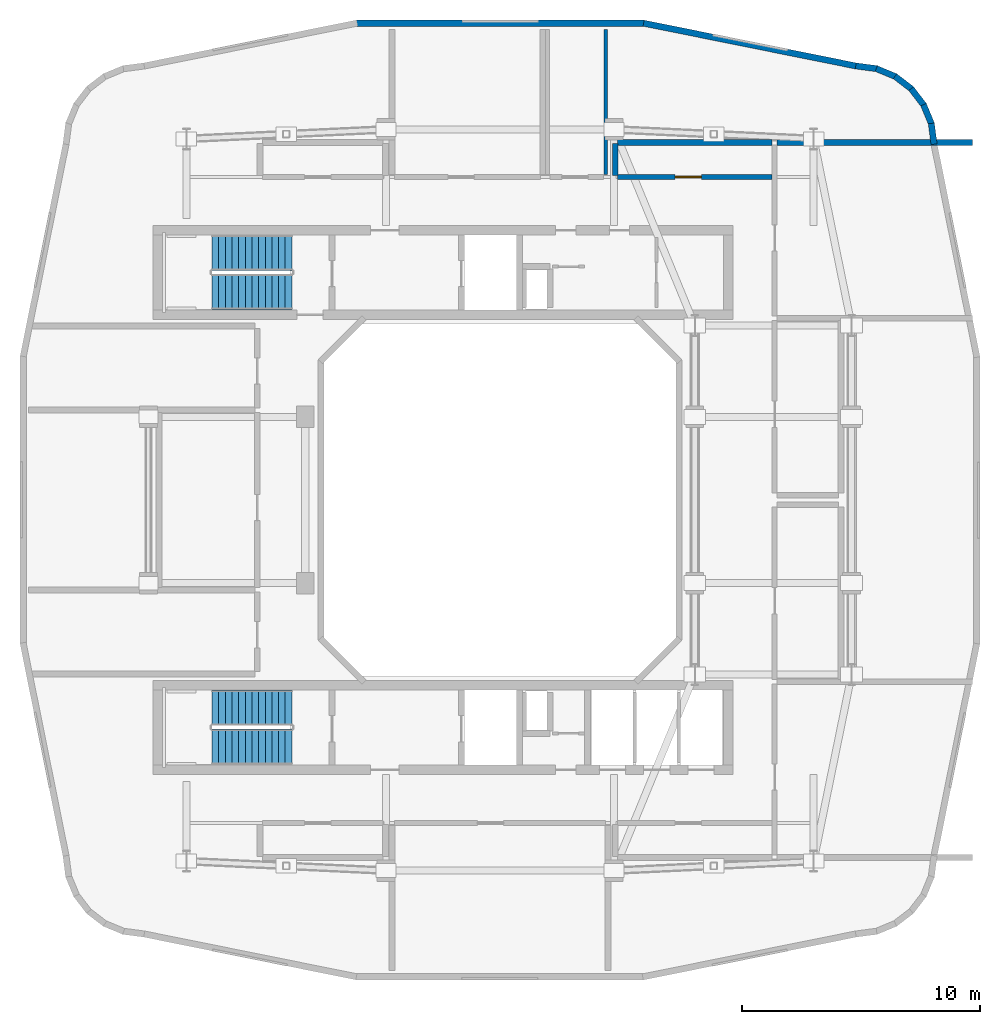
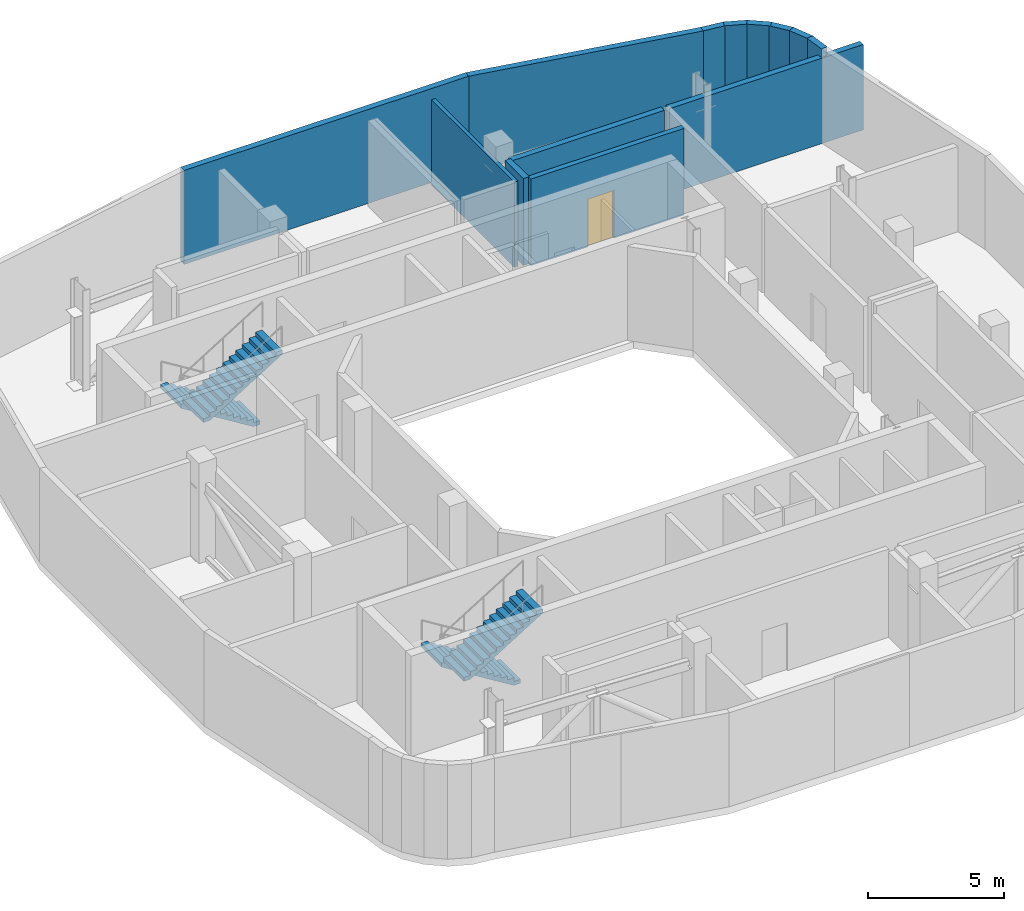
# One storey, part 6 of 9: 13 walls, 4 stair flights, 1 door, 1 opening, 2 elements without a shape of their own.
"""IFC4 building model written with IfcOpenShell, lengths in metres."""

from ifc_helpers import new_model, si_unit, derived_unit, direction, frame, frame_2d, origin, place, context, subcontext, project, spatial, polyline, rectangle, outline, extrude, material, layer, layer_set, type_object, element, fill, aggregate, save


model = new_model("IFC4")

# Units and contexts
model_context = context("Model", 3, precision=1e-05, world=origin(), true_north=direction((0.0, 1.0)))
body_context = subcontext(model_context, "Body", "Model", "MODEL_VIEW")
ifc_project = project(units=[si_unit("LENGTHUNIT", "METRE"), si_unit("AREAUNIT", "SQUARE_METRE"), si_unit("VOLUMEUNIT", "CUBIC_METRE"), si_unit("PLANEANGLEUNIT", "RADIAN"), si_unit("MASSUNIT", "GRAM", prefix="KILO"), derived_unit("THERMALTRANSMITTANCEUNIT", [(si_unit("POWERUNIT", "WATT"), 1), (si_unit("LENGTHUNIT", "METRE"), -2), (si_unit("THERMODYNAMICTEMPERATUREUNIT", "KELVIN"), -1)])], contexts=[model_context])

# Site, building, storey
site_placement = place(None, origin())
site = spatial("IfcSite", under=ifc_project, at=site_placement, CompositionType="ELEMENT")
building_placement = place(site_placement, origin())
building = spatial("IfcBuilding", under=site, at=building_placement, Name="Kivonza Crest Hotel", CompositionType="ELEMENT")
storey_placement = place(building_placement, frame((0.0, 0.0, 173.0)))
storey = spatial("IfcBuildingStorey", under=building, at=storey_placement, Name="L47", CompositionType="ELEMENT", Elevation=173.0)

# Wall, opening, door
ifc_material_1 = material(Name="Autoclaved aerated concrete blockwork", Category="masonry")
ifc_layer_1 = layer(ifc_material_1, 0.219970703125)
ifc_layer_set_1 = layer_set([ifc_layer_1], Name="Autoclaved aerated concrete blockwork")
wall_type_1 = type_object("IfcWallType", Name="WL-ACOU-220", PredefinedType="SOLIDWALL", material=ifc_layer_set_1)
wall_1_placement = place(storey_placement, frame((25.949951171875, 38.60009765625, 0.0), z_axis=(0.0, 0.0, 1.0), x_axis=(1.0, 0.0, 0.0)))
wall_1 = element("IfcWall", 1, at=wall_1_placement, inside=storey, type_object=wall_type_1, Name="L47 interior partition WA-L47-PL-MIDN-S", PredefinedType="SOLIDWALL", context=body_context, shape_type="SweptSolid", body=[
    extrude(rectangle(XDim=6.510009765625, YDim=0.219970703125, at=frame_2d((3.2548828125, 0.0))), origin(), (0.0, 0.0, 1.0), 3.89501953125),
])
opening_placement = place(wall_1_placement, frame((2.425048828125, 0.0, 0.0)))
opening = element("IfcOpeningElement", 2, at=opening_placement, cuts=wall_1, Name="Opening DF-120", PredefinedType="OPENING", context=body_context, shape_type="SweptSolid", body=[
    extrude(rectangle(XDim=1.10009765625, YDim=2.14990234375, at=frame_2d((0.550048828125, 1.074951171875))), frame((0.0, 0.1201171875, 0.0), z_axis=(0.0, -1.0, 0.0), x_axis=(1.0, 0.0, 0.0)), (0.0, 0.0, 1.0), 0.239990234375),
])
ifc_material_2 = material(Name="Galvanised steel", Category="steel")
door_type = type_object("IfcDoorType", Name="DR-FD120-1100", OperationType="NOTDEFINED", PredefinedType="DOOR", material=ifc_material_2)
door_placement = place(opening_placement, origin())
door = element("IfcDoor", 3, at=door_placement, inside=storey, type_object=door_type, Name="L47 North-East Header Plant Room door", OperationType="SINGLE_SWING_RIGHT", OverallHeight=2.14990234375, OverallWidth=1.10009765625, PredefinedType="DOOR", context=body_context, shape_type="SweptSolid", body=[
    extrude(rectangle(XDim=1.10009765625, YDim=2.14990234375, at=frame_2d((0.550048828125, 1.074951171875))), frame((0.0, 0.02490234375, 0.0), z_axis=(0.0, -1.0, 0.0), x_axis=(1.0, 0.0, 0.0)), (0.0, 0.0, 1.0), 0.050048828125),
])
fill(opening, door)

# Walls
ifc_material_3 = material(Name="Precast concrete C40/50", Category="concrete")
ifc_layer_2 = layer(ifc_material_3, 0.260009765625)
ifc_layer_set_2 = layer_set([ifc_layer_2], Name="Precast concrete C40/50")
wall_type_2 = type_object("IfcWallType", Name="WL-EXT-260", PredefinedType="STANDARD", material=ifc_layer_set_2)
wall_2_placement = place(storey_placement, frame((39.27197265625, 39.97509765625, 0.0), z_axis=(0.0, 0.0, 1.0), x_axis=(-0.130953706898, 0.991388484223, 0.0)))
element("IfcWall", 4, at=wall_2_placement, inside=storey, type_object=wall_type_2, Name="L47 T1 exterior insulated wall 19", PredefinedType="STANDARD", context=body_context, shape_type="SweptSolid", body=[
    extrude(rectangle(XDim=0.885498046875, YDim=0.260009765625, at=frame_2d((0.44287109375, 0.0))), origin(), (0.0, 0.0, 1.0), 4.219970703125),
])
wall_3_placement = place(storey_placement, frame((39.174072265625, 40.806884765625, 0.0), z_axis=(0.0, 0.0, 1.0), x_axis=(-0.383290660547, 0.923627776508, 0.0)))
element("IfcWall", 5, at=wall_3_placement, inside=storey, type_object=wall_type_2, Name="L47 T1 exterior insulated wall 20", PredefinedType="STANDARD", context=body_context, shape_type="SweptSolid", body=[
    extrude(rectangle(XDim=0.9033203125, YDim=0.260009765625, at=frame_2d((0.45166015625, 0.0))), origin(), (0.0, 0.0, 1.0), 4.219970703125),
])
wall_4_placement = place(storey_placement, frame((38.85595703125, 41.60107421875, 0.0), z_axis=(0.0, 0.0, 1.0), x_axis=(-0.608624690463, 0.793458244748, 0.0)))
element("IfcWall", 6, at=wall_4_placement, inside=storey, type_object=wall_type_2, Name="L47 T1 exterior insulated wall 21", PredefinedType="STANDARD", context=body_context, shape_type="SweptSolid", body=[
    extrude(rectangle(XDim=0.902099609375, YDim=0.260009765625, at=frame_2d((0.451171875, 0.0))), origin(), (0.0, 0.0, 1.0), 4.219970703125),
])
wall_5_placement = place(storey_placement, frame((38.344970703125, 42.285888671875, 0.0), z_axis=(0.0, 0.0, 1.0), x_axis=(-0.793558456666, 0.608494022858, 0.0)))
element("IfcWall", 7, at=wall_5_placement, inside=storey, type_object=wall_type_2, Name="L47 T1 exterior insulated wall 22", PredefinedType="STANDARD", context=body_context, shape_type="SweptSolid", body=[
    extrude(rectangle(XDim=0.90234375, YDim=0.260009765625, at=frame_2d((0.451171875, 0.0))), origin(), (0.0, 0.0, 1.0), 4.219970703125),
])
wall_6_placement = place(storey_placement, frame((37.673095703125, 42.81396484375, 0.0), z_axis=(0.0, 0.0, 1.0), x_axis=(-0.923683767999, 0.383155708213, 0.0)))
element("IfcWall", 8, at=wall_6_placement, inside=storey, type_object=wall_type_2, Name="L47 T1 exterior insulated wall 23", PredefinedType="STANDARD", context=body_context, shape_type="SweptSolid", body=[
    extrude(rectangle(XDim=0.90283203125, YDim=0.260009765625, at=frame_2d((0.451416015625, 0.0))), origin(), (0.0, 0.0, 1.0), 4.219970703125),
])
wall_7_placement = place(storey_placement, frame((36.887939453125, 43.152099609375, 0.0), z_axis=(0.0, 0.0, 1.0), x_axis=(-0.991487658083, 0.130200706103, 0.0)))
element("IfcWall", 9, at=wall_7_placement, inside=storey, type_object=wall_type_2, Name="L47 T1 exterior insulated wall 24", PredefinedType="STANDARD", context=body_context, shape_type="SweptSolid", body=[
    extrude(rectangle(XDim=0.920654296875, YDim=0.260009765625, at=frame_2d((0.46044921875, 0.0))), origin(), (0.0, 0.0, 1.0), 4.219970703125),
])
wall_8_placement = place(storey_placement, frame((35.98193359375, 43.27099609375, 0.0), z_axis=(0.0, 0.0, 1.0), x_axis=(-0.980317172899, 0.197429077186, 0.0)))
element("IfcWall", 10, at=wall_8_placement, inside=storey, type_object=wall_type_2, Name="L47 T1 exterior insulated wall 25", PredefinedType="STANDARD", context=body_context, shape_type="SweptSolid", body=[
    extrude(rectangle(XDim=9.117431640625, YDim=0.260009765625, at=frame_2d((4.55859375, 0.0))), origin(), (0.0, 0.0, 1.0), 4.219970703125),
])
wall_9_placement = place(storey_placement, frame((27.0849609375, 45.070068359375, 0.0), z_axis=(0.0, 0.0, 1.0), x_axis=(-1.0, 0.0, 0.0)))
element("IfcWall", 11, at=wall_9_placement, inside=storey, type_object=wall_type_2, Name="L47 T1 exterior insulated wall 26", PredefinedType="STANDARD", context=body_context, shape_type="SweptSolid", body=[
    extrude(rectangle(XDim=12.135009765625, YDim=0.260009765625, at=frame_2d((6.0673828125, 0.0))), origin(), (0.0, 0.0, 1.0), 4.219970703125),
])
ifc_material_4 = material(Name="Concrete blockwork fire-compartment wall", Category="masonry")
ifc_layer_3 = layer(ifc_material_4, 0.25)
ifc_layer_set_3 = layer_set([ifc_layer_3], Name="Concrete blockwork fire-compartment wall")
wall_type_3 = type_object("IfcWallType", Name="WL-FIRE-250", PredefinedType="SOLIDWALL", material=ifc_layer_set_3)
wall_10_placement = place(storey_placement, frame((25.85009765625, 38.64990234375, 0.0), z_axis=(0.0, 0.0, 1.0), x_axis=(0.0, 1.0, 0.0)))
element("IfcWall", 12, at=wall_10_placement, inside=storey, type_object=wall_type_3, Name="L47 interior partition WP-L47-PL-MIDN-BW", PredefinedType="SOLIDWALL", context=body_context, shape_type="SweptSolid", body=[
    extrude(rectangle(XDim=1.35009765625, YDim=0.25, at=frame_2d((0.675048828125, 0.0))), origin(), (0.0, 0.0, 1.0), 3.89501953125),
])
wall_11_placement = place(storey_placement, frame((25.949951171875, 40.050048828125, 0.0), z_axis=(0.0, 0.0, 1.0), x_axis=(1.0, 0.0, 0.0)))
element("IfcWall", 13, at=wall_11_placement, inside=storey, type_object=wall_type_3, Name="L47 interior partition WP-L47-PL-MIDN-BN", PredefinedType="SOLIDWALL", context=body_context, shape_type="SweptSolid", body=[
    extrude(rectangle(XDim=6.510009765625, YDim=0.25, at=frame_2d((3.2548828125, 0.0))), origin(), (0.0, 0.0, 1.0), 3.8349609375),
])
wall_12_placement = place(storey_placement, frame((32.659912109375, 40.050048828125, 0.0), z_axis=(0.0, 0.0, 1.0), x_axis=(1.0, 0.0, 0.0)))
element("IfcWall", 14, at=wall_12_placement, inside=storey, type_object=wall_type_3, Name="L47 interior partition WP-L47-PL-ESTN-BN", PredefinedType="SOLIDWALL", context=body_context, shape_type="SweptSolid", body=[
    extrude(rectangle(XDim=8.239990234375, YDim=0.25, at=frame_2d((4.1201171875, 0.0))), origin(), (0.0, 0.0, 1.0), 3.8349609375),
])
ifc_material_5 = material(Name="Twin-stud acoustic gypsum board partition", Category="gypsum")
ifc_layer_4 = layer(ifc_material_5, 0.14990234375)
ifc_layer_set_4 = layer_set([ifc_layer_4], Name="Twin-stud acoustic gypsum board partition")
wall_type_4 = type_object("IfcWallType", Name="WL-PART-150", PredefinedType="PARTITIONING", material=ifc_layer_set_4)
wall_13_placement = place(storey_placement, frame((25.449951171875, 38.699951171875, 0.0), z_axis=(0.0, 0.0, 1.0), x_axis=(0.0, 1.0, 0.0)))
element("IfcWall", 15, at=wall_13_placement, inside=storey, type_object=wall_type_4, Name="L47 interior partition WP-L47-REF-WC-BE", PredefinedType="PARTITIONING", context=body_context, shape_type="SweptSolid", body=[
    extrude(rectangle(XDim=6.10009765625, YDim=0.14990234375, at=frame_2d((3.050048828125, 0.0))), origin(), (0.0, 0.0, 1.0), 3.8349609375),
])

# Stair, stair flights
ifc_material_6 = material(Name="Concrete C40/50", Category="concrete")
stair_type = type_object("IfcStairType", Name="ST-DL-26R", PredefinedType="HALF_TURN_STAIR", material=ifc_material_6)
stair_1_placement = place(storey_placement, origin())
stair_1 = element("IfcStair", 16, at=stair_1_placement, inside=storey, type_object=stair_type, Name="L47 Protected Exit Stair ST-T1-N", PredefinedType="HALF_TURN_STAIR")
stair_flight_type = type_object("IfcStairFlightType", Name="SFL-RC-13R", PredefinedType="STRAIGHT", material=ifc_material_6)
stair_flight_1_placement = place(storey_placement, frame((12.239990234375, 35.409912109375, 0.0), z_axis=(0.0, 0.0, 1.0), x_axis=(-1.0, 0.0, 0.0)))
stair_flight_1 = element("IfcStairFlight", 17, at=stair_flight_1_placement, type_object=stair_flight_type, Name="ST-T1-N flight 1", NumberOfRisers=13, NumberOfTreads=12, PredefinedType="STRAIGHT", RiserHeight=0.173076923, TreadLength=0.28, context=body_context, shape_type="SweptSolid", body=[
    extrude(outline(polyline([(0.0, 0.0), (0.0, 0.173095703125), (0.280029296875, 0.173095703125), (0.280029296875, 0.34619140625), (0.56005859375, 0.34619140625), (0.56005859375, 0.519287109375), (0.840087890625, 0.519287109375), (0.840087890625, 0.6923828125), (1.1201171875, 0.6923828125), (1.1201171875, 0.865478515625), (1.39990234375, 0.865478515625), (1.39990234375, 1.03857421875), (1.679931640625, 1.03857421875), (1.679931640625, 1.21142578125), (1.9599609375, 1.21142578125), (1.9599609375, 1.384521484375), (2.239990234375, 1.384521484375), (2.239990234375, 1.5576171875), (2.52001953125, 1.5576171875), (2.52001953125, 1.730712890625), (2.800048828125, 1.730712890625), (2.800048828125, 1.90380859375), (3.080078125, 1.90380859375), (3.080078125, 2.076904296875), (3.360107421875, 2.076904296875), (3.360107421875, 2.25), (3.360107421875, 1.900634765625), (0.28515625, 0.0), (0.0, 0.0)])), frame((0.0, 0.75, 0.0), z_axis=(0.0, -1.0, 0.0), x_axis=(1.0, 0.0, 0.0)), (0.0, 0.0, 1.0), 1.5),
])
stair_flight_2_placement = place(storey_placement, frame((8.8798828125, 33.77001953125, 2.25), z_axis=(0.0, 0.0, 1.0), x_axis=(1.0, 0.0, 0.0)))
stair_flight_2 = element("IfcStairFlight", 18, at=stair_flight_2_placement, type_object=stair_flight_type, Name="ST-T1-N flight 2", NumberOfRisers=13, NumberOfTreads=12, PredefinedType="STRAIGHT", RiserHeight=0.173076923, TreadLength=0.28, context=body_context, shape_type="SweptSolid", body=[
    extrude(outline(polyline([(0.0, 0.0), (0.0, 0.173095703125), (0.280029296875, 0.173095703125), (0.280029296875, 0.34619140625), (0.56005859375, 0.34619140625), (0.56005859375, 0.519287109375), (0.840087890625, 0.519287109375), (0.840087890625, 0.6923828125), (1.1201171875, 0.6923828125), (1.1201171875, 0.865478515625), (1.39990234375, 0.865478515625), (1.39990234375, 1.03857421875), (1.679931640625, 1.03857421875), (1.679931640625, 1.21142578125), (1.9599609375, 1.21142578125), (1.9599609375, 1.384521484375), (2.239990234375, 1.384521484375), (2.239990234375, 1.5576171875), (2.52001953125, 1.5576171875), (2.52001953125, 1.730712890625), (2.800048828125, 1.730712890625), (2.800048828125, 1.90380859375), (3.080078125, 1.90380859375), (3.080078125, 2.076904296875), (3.360107421875, 2.076904296875), (3.360107421875, 2.25), (3.360107421875, 1.900634765625), (0.28515625, 0.0), (0.0, 0.0)])), frame((0.0, 0.75, 0.0), z_axis=(0.0, -1.0, 0.0), x_axis=(1.0, 0.0, 0.0)), (0.0, 0.0, 1.0), 1.5),
])
aggregate(stair_1, [stair_flight_1, stair_flight_2])

stair_2_placement = place(storey_placement, origin())
stair_2 = element("IfcStair", 19, at=stair_2_placement, inside=storey, type_object=stair_type, Name="L47 Protected Exit Stair ST-T1-S", PredefinedType="HALF_TURN_STAIR")
stair_flight_3_placement = place(storey_placement, frame((12.239990234375, 16.25, 0.0), z_axis=(0.0, 0.0, 1.0), x_axis=(-1.0, 0.0, 0.0)))
stair_flight_3 = element("IfcStairFlight", 20, at=stair_flight_3_placement, type_object=stair_flight_type, Name="ST-T1-S flight 1", NumberOfRisers=13, NumberOfTreads=12, PredefinedType="STRAIGHT", RiserHeight=0.173076923, TreadLength=0.28, context=body_context, shape_type="SweptSolid", body=[
    extrude(outline(polyline([(0.0, 0.0), (0.0, 0.173095703125), (0.280029296875, 0.173095703125), (0.280029296875, 0.34619140625), (0.56005859375, 0.34619140625), (0.56005859375, 0.519287109375), (0.840087890625, 0.519287109375), (0.840087890625, 0.6923828125), (1.1201171875, 0.6923828125), (1.1201171875, 0.865478515625), (1.39990234375, 0.865478515625), (1.39990234375, 1.03857421875), (1.679931640625, 1.03857421875), (1.679931640625, 1.21142578125), (1.9599609375, 1.21142578125), (1.9599609375, 1.384521484375), (2.239990234375, 1.384521484375), (2.239990234375, 1.5576171875), (2.52001953125, 1.5576171875), (2.52001953125, 1.730712890625), (2.800048828125, 1.730712890625), (2.800048828125, 1.90380859375), (3.080078125, 1.90380859375), (3.080078125, 2.076904296875), (3.360107421875, 2.076904296875), (3.360107421875, 2.25), (3.360107421875, 1.900634765625), (0.28515625, 0.0), (0.0, 0.0)])), frame((0.0, 0.75, 0.0), z_axis=(0.0, -1.0, 0.0), x_axis=(1.0, 0.0, 0.0)), (0.0, 0.0, 1.0), 1.5),
])
stair_flight_4_placement = place(storey_placement, frame((8.8798828125, 14.610107421875, 2.25), z_axis=(0.0, 0.0, 1.0), x_axis=(1.0, 0.0, 0.0)))
stair_flight_4 = element("IfcStairFlight", 21, at=stair_flight_4_placement, type_object=stair_flight_type, Name="ST-T1-S flight 2", NumberOfRisers=13, NumberOfTreads=12, PredefinedType="STRAIGHT", RiserHeight=0.173076923, TreadLength=0.28, context=body_context, shape_type="SweptSolid", body=[
    extrude(outline(polyline([(0.0, 0.0), (0.0, 0.173095703125), (0.280029296875, 0.173095703125), (0.280029296875, 0.34619140625), (0.56005859375, 0.34619140625), (0.56005859375, 0.519287109375), (0.840087890625, 0.519287109375), (0.840087890625, 0.6923828125), (1.1201171875, 0.6923828125), (1.1201171875, 0.865478515625), (1.39990234375, 0.865478515625), (1.39990234375, 1.03857421875), (1.679931640625, 1.03857421875), (1.679931640625, 1.21142578125), (1.9599609375, 1.21142578125), (1.9599609375, 1.384521484375), (2.239990234375, 1.384521484375), (2.239990234375, 1.5576171875), (2.52001953125, 1.5576171875), (2.52001953125, 1.730712890625), (2.800048828125, 1.730712890625), (2.800048828125, 1.90380859375), (3.080078125, 1.90380859375), (3.080078125, 2.076904296875), (3.360107421875, 2.076904296875), (3.360107421875, 2.25), (3.360107421875, 1.900634765625), (0.28515625, 0.0), (0.0, 0.0)])), frame((0.0, 0.75, 0.0), z_axis=(0.0, -1.0, 0.0), x_axis=(1.0, 0.0, 0.0)), (0.0, 0.0, 1.0), 1.5),
])
aggregate(stair_2, [stair_flight_3, stair_flight_4])

save(model, "model.ifc")
